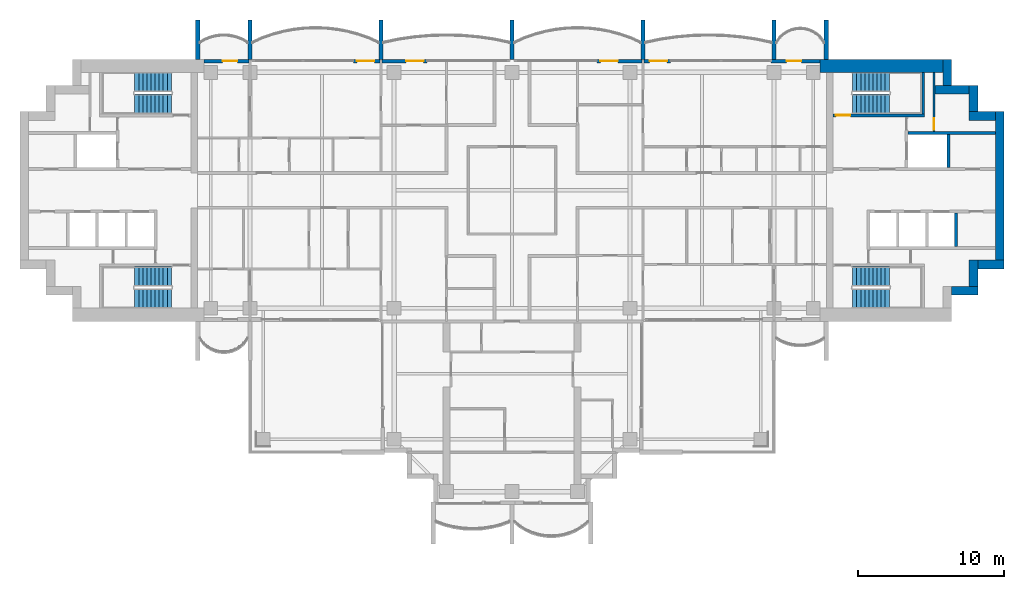
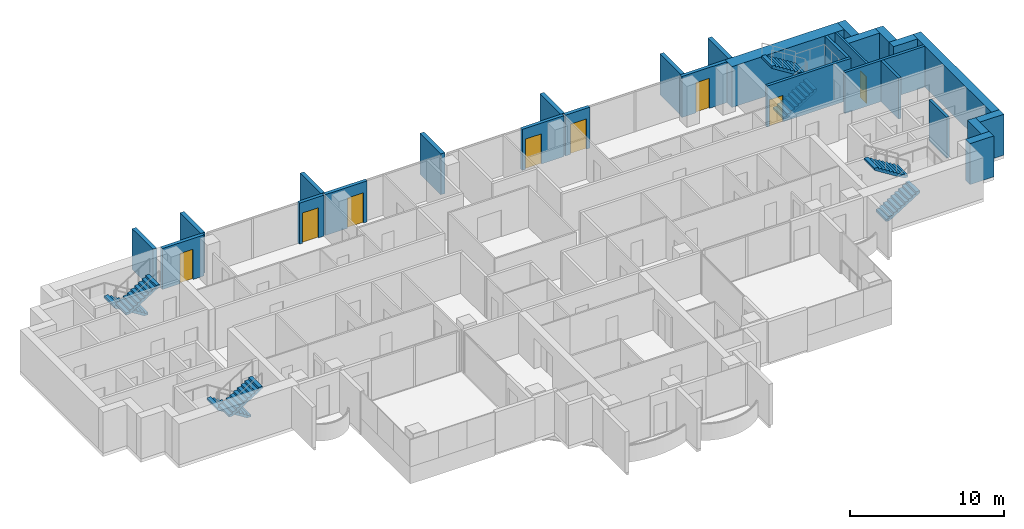
# One storey, part 13 of 17: 28 walls, 8 doors, 8 stair flights, 8 openings, 4 elements without a shape of their own.
"""IFC4 building model written with IfcOpenShell, lengths in metres."""

from ifc_helpers import new_model, si_unit, direction, frame, frame_2d, origin, place, context, subcontext, project, spatial, polyline, rectangle, outline, extrude, material, layer, layer_set, type_object, element, fill, aggregate, save


model = new_model("IFC4")

# Units and contexts
model_context = context("Model", 3, precision=1e-05, world=origin(), true_north=direction((0.0, 1.0)))
body_context = subcontext(model_context, "Body", "Model", "MODEL_VIEW")
ifc_project = project(units=[si_unit("LENGTHUNIT", "METRE"), si_unit("AREAUNIT", "SQUARE_METRE"), si_unit("VOLUMEUNIT", "CUBIC_METRE"), si_unit("PLANEANGLEUNIT", "RADIAN"), si_unit("MASSUNIT", "GRAM", prefix="KILO")], contexts=[model_context])

# Site, building, storey
site_placement = place(None, origin())
site = spatial("IfcSite", under=ifc_project, at=site_placement, CompositionType="ELEMENT")
building_placement = place(site_placement, origin())
building = spatial("IfcBuilding", under=site, at=building_placement, Name="Perihelion Cross Residences", CompositionType="ELEMENT")
storey_placement = place(building_placement, frame((0.0, 0.0, 212.10009765625)))
storey = spatial("IfcBuildingStorey", under=building, at=storey_placement, Name="L53", CompositionType="ELEMENT", Elevation=212.10009765625)

# Wall, opening, door
ifc_material_1 = material(Name="Concrete C30/37, bronze-clad", Category="concrete")
ifc_layer_1 = layer(ifc_material_1, 0.25)
ifc_layer_set_1 = layer_set([ifc_layer_1], Name="Bronze-clad pier wall 250")
wall_type_1 = type_object("IfcWallType", Name="Bronze-clad pier wall 250", PredefinedType="SOLIDWALL", material=ifc_layer_set_1)
wall_1_placement = place(storey_placement, frame((21.175048828125, 8.875, 0.0), z_axis=(0.0, 0.0, 1.0), x_axis=(-1.0, 0.0, 0.0)))
wall_1 = element("IfcWall", 1, at=wall_1_placement, inside=storey, type_object=wall_type_1, Name="Wall FW1 L53 east side north bay 1 pier", PredefinedType="SOLIDWALL", context=body_context, shape_type="SweptSolid", body=[
    extrude(rectangle(XDim=3.375, YDim=0.25, at=frame_2d((1.6875, 0.0))), origin(), (0.0, 0.0, 1.0), 3.25),
])
opening_1_placement = place(wall_1_placement, frame((1.300048828125, 0.0, 0.0)))
opening_1 = element("IfcOpeningElement", 2, at=opening_1_placement, cuts=wall_1, Name="Opening L53.E01", PredefinedType="OPENING", context=body_context, shape_type="SweptSolid", body=[
    extrude(rectangle(XDim=1.0, YDim=2.39990234375, at=frame_2d((0.5, 1.199951171875))), frame((0.0, 0.135009765625, 0.0), z_axis=(0.0, -1.0, 0.0), x_axis=(1.0, 0.0, 0.0)), (0.0, 0.0, 1.0), 0.27001953125),
])
ifc_material_2 = material(Name="Bronze anodised aluminium, glazed", Category="aluminium")
door_type_1 = type_object("IfcDoorType", Name="Balcony door 1000 x 2400", OperationType="NOTDEFINED", PredefinedType="DOOR", material=ifc_material_2)
door_1_placement = place(opening_1_placement, origin())
door_1 = element("IfcDoor", 3, at=door_1_placement, inside=storey, type_object=door_type_1, Name="Door L53.E01 east side north bay 1", OperationType="SINGLE_SWING_LEFT", OverallHeight=2.39990234375, OverallWidth=1.0, PredefinedType="DOOR", context=body_context, shape_type="SweptSolid", body=[
    extrude(rectangle(XDim=1.0, YDim=2.39990234375, at=frame_2d((0.5, 1.199951171875))), frame((0.0, 0.02490234375, 0.0), z_axis=(0.0, -1.0, 0.0), x_axis=(1.0, 0.0, 0.0)), (0.0, 0.0, 1.0), 0.050048828125),
])
fill(opening_1, door_1)

wall_2_placement = place(storey_placement, frame((10.89990234375, 8.875, 0.0), z_axis=(0.0, 0.0, 1.0), x_axis=(-1.0, 0.0, 0.0)))
wall_2 = element("IfcWall", 4, at=wall_2_placement, inside=storey, type_object=wall_type_1, Name="Wall FW1 L53 east side north bay 2 pier", PredefinedType="SOLIDWALL", context=body_context, shape_type="SweptSolid", body=[
    extrude(rectangle(XDim=1.83984375, YDim=0.25, at=frame_2d((0.919921875, 0.0))), origin(), (0.0, 0.0, 1.0), 3.25),
])
opening_2_placement = place(wall_2_placement, frame((0.25, 0.0, 0.0)))
opening_2 = element("IfcOpeningElement", 5, at=opening_2_placement, cuts=wall_2, Name="Opening L53.E02", PredefinedType="OPENING", context=body_context, shape_type="SweptSolid", body=[
    extrude(rectangle(XDim=1.199951171875, YDim=2.39990234375, at=frame_2d((0.60009765625, 1.199951171875))), frame((0.0, 0.135009765625, 0.0), z_axis=(0.0, -1.0, 0.0), x_axis=(1.0, 0.0, 0.0)), (0.0, 0.0, 1.0), 0.27001953125),
])
ifc_material_3 = material(Name="Bronze anodised aluminium, glazed", Category="aluminium")
door_type_2 = type_object("IfcDoorType", Name="Balcony door 1200 x 2400", OperationType="NOTDEFINED", PredefinedType="DOOR", material=ifc_material_3)
door_2_placement = place(opening_2_placement, origin())
door_2 = element("IfcDoor", 6, at=door_2_placement, inside=storey, type_object=door_type_2, Name="Door L53.E02 east side north bay 2", OperationType="SINGLE_SWING_RIGHT", OverallHeight=2.39990234375, OverallWidth=1.199951171875, PredefinedType="DOOR", context=body_context, shape_type="SweptSolid", body=[
    extrude(rectangle(XDim=1.199951171875, YDim=2.39990234375, at=frame_2d((0.60009765625, 1.199951171875))), frame((0.0, 0.02490234375, 0.0), z_axis=(0.0, -1.0, 0.0), x_axis=(1.0, 0.0, 0.0)), (0.0, 0.0, 1.0), 0.050048828125),
])
fill(opening_2, door_2)

wall_3_placement = place(storey_placement, frame((8.93994140625, 8.875, 0.0), z_axis=(0.0, 0.0, 1.0), x_axis=(-1.0, 0.0, 0.0)))
wall_3 = element("IfcWall", 7, at=wall_3_placement, inside=storey, type_object=wall_type_1, Name="Wall FW1 L53 north side east bay 1 pier", PredefinedType="SOLIDWALL", context=body_context, shape_type="SweptSolid", body=[
    extrude(rectangle(XDim=3.114990234375, YDim=0.25, at=frame_2d((1.5576171875, 0.0))), origin(), (0.0, 0.0, 1.0), 3.25),
])
opening_3_placement = place(wall_3_placement, frame((1.6650390625, 0.0, 0.0)))
opening_3 = element("IfcOpeningElement", 8, at=opening_3_placement, cuts=wall_3, Name="Opening L53.E03", PredefinedType="OPENING", context=body_context, shape_type="SweptSolid", body=[
    extrude(rectangle(XDim=1.199951171875, YDim=2.39990234375, at=frame_2d((0.60009765625, 1.199951171875))), frame((0.0, 0.135009765625, 0.0), z_axis=(0.0, -1.0, 0.0), x_axis=(1.0, 0.0, 0.0)), (0.0, 0.0, 1.0), 0.27001953125),
])
door_3_placement = place(opening_3_placement, origin())
door_3 = element("IfcDoor", 9, at=door_3_placement, inside=storey, type_object=door_type_2, Name="Door L53.E03 north side east bay 1", OperationType="SINGLE_SWING_LEFT", OverallHeight=2.39990234375, OverallWidth=1.199951171875, PredefinedType="DOOR", context=body_context, shape_type="SweptSolid", body=[
    extrude(rectangle(XDim=1.199951171875, YDim=2.39990234375, at=frame_2d((0.60009765625, 1.199951171875))), frame((0.0, 0.02490234375, 0.0), z_axis=(0.0, -1.0, 0.0), x_axis=(1.0, 0.0, 0.0)), (0.0, 0.0, 1.0), 0.050048828125),
])
fill(opening_3, door_3)

wall_4_placement = place(storey_placement, frame((-5.824951171875, 8.875, 0.0), z_axis=(0.0, 0.0, 1.0), x_axis=(-1.0, 0.0, 0.0)))
wall_4 = element("IfcWall", 10, at=wall_4_placement, inside=storey, type_object=wall_type_1, Name="Wall FW1 L53 north side east bay 2 pier", PredefinedType="SOLIDWALL", context=body_context, shape_type="SweptSolid", body=[
    extrude(rectangle(XDim=3.114990234375, YDim=0.25, at=frame_2d((1.5576171875, 0.0))), origin(), (0.0, 0.0, 1.0), 3.25),
])
opening_4_placement = place(wall_4_placement, frame((0.25, 0.0, 0.0)))
opening_4 = element("IfcOpeningElement", 11, at=opening_4_placement, cuts=wall_4, Name="Opening L53.E04", PredefinedType="OPENING", context=body_context, shape_type="SweptSolid", body=[
    extrude(rectangle(XDim=1.199951171875, YDim=2.39990234375, at=frame_2d((0.60009765625, 1.199951171875))), frame((0.0, 0.135009765625, 0.0), z_axis=(0.0, -1.0, 0.0), x_axis=(1.0, 0.0, 0.0)), (0.0, 0.0, 1.0), 0.27001953125),
])
door_4_placement = place(opening_4_placement, origin())
door_4 = element("IfcDoor", 12, at=door_4_placement, inside=storey, type_object=door_type_2, Name="Door L53.E04 north side east bay 2", OperationType="SINGLE_SWING_RIGHT", OverallHeight=2.39990234375, OverallWidth=1.199951171875, PredefinedType="DOOR", context=body_context, shape_type="SweptSolid", body=[
    extrude(rectangle(XDim=1.199951171875, YDim=2.39990234375, at=frame_2d((0.60009765625, 1.199951171875))), frame((0.0, 0.02490234375, 0.0), z_axis=(0.0, -1.0, 0.0), x_axis=(1.0, 0.0, 0.0)), (0.0, 0.0, 1.0), 0.050048828125),
])
fill(opening_4, door_4)

wall_5_placement = place(storey_placement, frame((-9.06005859375, 8.875, 0.0), z_axis=(0.0, 0.0, 1.0), x_axis=(-1.0, 0.0, 0.0)))
wall_5 = element("IfcWall", 13, at=wall_5_placement, inside=storey, type_object=wall_type_1, Name="Wall FW1 L53 west side north bay 1 pier", PredefinedType="SOLIDWALL", context=body_context, shape_type="SweptSolid", body=[
    extrude(rectangle(XDim=1.83984375, YDim=0.25, at=frame_2d((0.919921875, 0.0))), origin(), (0.0, 0.0, 1.0), 3.25),
])
opening_5_placement = place(wall_5_placement, frame((0.389892578125, 0.0, 0.0)))
opening_5 = element("IfcOpeningElement", 14, at=opening_5_placement, cuts=wall_5, Name="Opening L53.E05", PredefinedType="OPENING", context=body_context, shape_type="SweptSolid", body=[
    extrude(rectangle(XDim=1.199951171875, YDim=2.39990234375, at=frame_2d((0.60009765625, 1.199951171875))), frame((0.0, 0.135009765625, 0.0), z_axis=(0.0, -1.0, 0.0), x_axis=(1.0, 0.0, 0.0)), (0.0, 0.0, 1.0), 0.27001953125),
])
door_5_placement = place(opening_5_placement, origin())
door_5 = element("IfcDoor", 15, at=door_5_placement, inside=storey, type_object=door_type_2, Name="Door L53.E05 west side north bay 1", OperationType="SINGLE_SWING_LEFT", OverallHeight=2.39990234375, OverallWidth=1.199951171875, PredefinedType="DOOR", context=body_context, shape_type="SweptSolid", body=[
    extrude(rectangle(XDim=1.199951171875, YDim=2.39990234375, at=frame_2d((0.60009765625, 1.199951171875))), frame((0.0, 0.02490234375, 0.0), z_axis=(0.0, -1.0, 0.0), x_axis=(1.0, 0.0, 0.0)), (0.0, 0.0, 1.0), 0.050048828125),
])
fill(opening_5, door_5)

wall_6_placement = place(storey_placement, frame((-18.06005859375, 8.875, 0.0), z_axis=(0.0, 0.0, 1.0), x_axis=(-1.0, 0.0, 0.0)))
wall_6 = element("IfcWall", 16, at=wall_6_placement, inside=storey, type_object=wall_type_1, Name="Wall FW1 L53 west side north bay 2 pier", PredefinedType="SOLIDWALL", context=body_context, shape_type="SweptSolid", body=[
    extrude(rectangle(XDim=3.114990234375, YDim=0.25, at=frame_2d((1.5576171875, 0.0))), origin(), (0.0, 0.0, 1.0), 3.25),
])
opening_6_placement = place(wall_6_placement, frame((0.81494140625, 0.0, 0.0)))
opening_6 = element("IfcOpeningElement", 17, at=opening_6_placement, cuts=wall_6, Name="Opening L53.E06", PredefinedType="OPENING", context=body_context, shape_type="SweptSolid", body=[
    extrude(rectangle(XDim=1.0, YDim=2.39990234375, at=frame_2d((0.5, 1.199951171875))), frame((0.0, 0.135009765625, 0.0), z_axis=(0.0, -1.0, 0.0), x_axis=(1.0, 0.0, 0.0)), (0.0, 0.0, 1.0), 0.27001953125),
])
door_6_placement = place(opening_6_placement, origin())
door_6 = element("IfcDoor", 18, at=door_6_placement, inside=storey, type_object=door_type_1, Name="Door L53.E06 west side north bay 2", OperationType="SINGLE_SWING_RIGHT", OverallHeight=2.39990234375, OverallWidth=1.0, PredefinedType="DOOR", context=body_context, shape_type="SweptSolid", body=[
    extrude(rectangle(XDim=1.0, YDim=2.39990234375, at=frame_2d((0.5, 1.199951171875))), frame((0.0, 0.02490234375, 0.0), z_axis=(0.0, -1.0, 0.0), x_axis=(1.0, 0.0, 0.0)), (0.0, 0.0, 1.0), 0.050048828125),
])
fill(opening_6, door_6)

# Walls
ifc_material_4 = material(Name="Concrete C60/75", Category="concrete")
ifc_layer_2 = layer(ifc_material_4, 0.60009765625)
ifc_layer_set_2 = layer_set([ifc_layer_2], Name="Core wall, outer 600")
wall_type_2 = type_object("IfcWallType", Name="Core wall, outer 600", PredefinedType="SHEAR", material=ifc_layer_set_2)
for number, where, z_axis, x_axis, name in (
    (19, (30.199951171875, -6.89990234375, 0.0), (0.0, 0.0, 1.0), (1.0, 0.0, 0.0), "East core core wall, outer"),
    (20, (31.699951171875, -6.60009765625, 0.0), (0.0, 0.0, 1.0), (0.0, 1.0, 0.0), "East core core wall, outer"),
    (21, (32.0, -5.10009765625, 0.0), (0.0, 0.0, 1.0), (1.0, 0.0, 0.0), "East core core wall, outer"),
):
    element("IfcWall", number, at=place(storey_placement, frame(where, z_axis=z_axis, x_axis=x_axis)), inside=storey, type_object=wall_type_2, Name=name, PredefinedType="SHEAR", context=body_context, shape_type="SweptSolid", body=[
        extrude(rectangle(XDim=1.800048828125, YDim=0.60009765625, at=frame_2d((0.89990234375, 0.0))), origin(), (0.0, 0.0, 1.0), 3.25),
    ])
wall_7_placement = place(storey_placement, frame((33.5, -4.800048828125, 0.0), z_axis=(0.0, 0.0, 1.0), x_axis=(0.0, 1.0, 0.0)))
element("IfcWall", 22, at=wall_7_placement, inside=storey, type_object=wall_type_2, Name="East core core wall, outer", PredefinedType="SHEAR", context=body_context, shape_type="SweptSolid", body=[
    extrude(rectangle(XDim=10.199951171875, YDim=0.60009765625, at=frame_2d((5.10009765625, 0.0))), origin(), (0.0, 0.0, 1.0), 3.25),
])
for number, where, z_axis, x_axis, name in (
    (23, (31.39990234375, 5.10009765625, 0.0), (0.0, 0.0, 1.0), (1.0, 0.0, 0.0), "East core core wall, outer"),
    (24, (31.699951171875, 5.39990234375, 0.0), (0.0, 0.0, 1.0), (0.0, 1.0, 0.0), "East core core wall, outer"),
):
    element("IfcWall", number, at=place(storey_placement, frame(where, z_axis=z_axis, x_axis=x_axis)), inside=storey, type_object=wall_type_2, Name=name, PredefinedType="SHEAR", context=body_context, shape_type="SweptSolid", body=[
        extrude(rectangle(XDim=1.800048828125, YDim=0.60009765625, at=frame_2d((0.89990234375, 0.0))), origin(), (0.0, 0.0, 1.0), 3.25),
    ])
wall_8_placement = place(storey_placement, frame((29.074951171875, 6.89990234375, 0.0), z_axis=(0.0, 0.0, 1.0), x_axis=(1.0, 0.0, 0.0)))
element("IfcWall", 25, at=wall_8_placement, inside=storey, type_object=wall_type_2, Name="East core core wall, outer", PredefinedType="SHEAR", context=body_context, shape_type="SweptSolid", body=[
    extrude(rectangle(XDim=2.324951171875, YDim=0.60009765625, at=frame_2d((1.16259765625, 0.0))), origin(), (0.0, 0.0, 1.0), 3.25),
])
wall_9_placement = place(storey_placement, frame((29.89990234375, 7.199951171875, 0.0), z_axis=(0.0, 0.0, 1.0), x_axis=(0.0, 1.0, 0.0)))
element("IfcWall", 26, at=wall_9_placement, inside=storey, type_object=wall_type_2, Name="East core core wall, outer", PredefinedType="SHEAR", context=body_context, shape_type="SweptSolid", body=[
    extrude(rectangle(XDim=1.800048828125, YDim=0.60009765625, at=frame_2d((0.89990234375, 0.0))), origin(), (0.0, 0.0, 1.0), 3.25),
])
ifc_material_5 = material(Name="Concrete C60/75", Category="concrete")
ifc_layer_3 = layer(ifc_material_5, 0.89990234375)
ifc_layer_set_3 = layer_set([ifc_layer_3], Name="Core wall, outer 900")
wall_type_3 = type_object("IfcWallType", Name="Core wall, outer 900", PredefinedType="SHEAR", material=ifc_layer_set_3)
wall_10_placement = place(storey_placement, frame((21.175048828125, 8.550048828125, 0.0), z_axis=(0.0, 0.0, 1.0), x_axis=(1.0, 0.0, 0.0)))
element("IfcWall", 27, at=wall_10_placement, inside=storey, type_object=wall_type_3, Name="East core core wall, outer", PredefinedType="SHEAR", context=body_context, shape_type="SweptSolid", body=[
    extrude(rectangle(XDim=8.425048828125, YDim=0.89990234375, at=frame_2d((4.21240234375, 0.0))), origin(), (0.0, 0.0, 1.0), 3.25),
])
ifc_material_6 = material(Name="Precast concrete C50/60", Category="concrete")
ifc_layer_4 = layer(ifc_material_6, 0.300048828125)
ifc_layer_set_4 = layer_set([ifc_layer_4], Name="Precast concrete C50/60 blade wall 300")
wall_type_4 = type_object("IfcWallType", Name="Precast concrete C50/60 blade wall 300", PredefinedType="SOLIDWALL", material=ifc_layer_set_4)
for number, where, z_axis, x_axis, name in (
    (28, (-21.60009765625, 9.0, 0.0), (0.0, 0.0, 1.0), (0.0, 1.0, 0.0), "Wall BL1 L53 no. 4"),
    (29, (-18.0, 9.0, 0.0), (0.0, 0.0, 1.0), (0.0, 1.0, 0.0), "Wall BL1 L53 no. 2"),
    (30, (-9.0, 9.0, 0.0), (0.0, 0.0, 1.0), (0.0, 1.0, 0.0), "Wall BL1 L53 no. 7"),
    (31, (0.0, 9.0, 0.0), (0.0, 0.0, 1.0), (0.0, 1.0, 0.0), "Wall BL1 L53 no. 9"),
    (32, (9.0, 9.0, 0.0), (0.0, 0.0, 1.0), (0.0, 1.0, 0.0), "Wall BL1 L53 no. 16"),
    (33, (18.0, 9.0, 0.0), (0.0, 0.0, 1.0), (0.0, 1.0, 0.0), "Wall BL1 L53 no. 11"),
    (34, (21.60009765625, 9.0, 0.0), (0.0, 0.0, 1.0), (0.0, 1.0, 0.0), "Wall BL1 L53 no. 13"),
):
    element("IfcWall", number, at=place(storey_placement, frame(where, z_axis=z_axis, x_axis=x_axis)), inside=storey, type_object=wall_type_4, Name=name, PredefinedType="SOLIDWALL", context=body_context, shape_type="SweptSolid", body=[
        extrude(rectangle(XDim=2.699951171875, YDim=0.300048828125, at=frame_2d((1.35009765625, 0.0))), origin(), (0.0, 0.0, 1.0), 3.25),
    ])

# Wall, opening, door
ifc_material_7 = material(Name="Fire-rated board on steel stud", Category="steel")
ifc_layer_5 = layer(ifc_material_7, 0.14990234375)
ifc_layer_set_5 = layer_set([ifc_layer_5], Name="Riser wall 150")
wall_type_5 = type_object("IfcWallType", Name="Riser wall 150", PredefinedType="PARTITIONING", material=ifc_layer_set_5)
wall_11_placement = place(storey_placement, frame((29.0, 4.050048828125, 0.0), z_axis=(0.0, 0.0, 1.0), x_axis=(0.0, 1.0, 0.0)))
wall_11 = element("IfcWall", 35, at=wall_11_placement, inside=storey, type_object=wall_type_5, Name="East core riser wall", PredefinedType="PARTITIONING", context=body_context, shape_type="SweptSolid", body=[
    extrude(rectangle(XDim=4.050048828125, YDim=0.14990234375, at=frame_2d((2.02490234375, 0.0))), origin(), (0.0, 0.0, 1.0), 3.25),
])
opening_7_placement = place(wall_11_placement, frame((0.10009765625, 0.0, 0.0)))
opening_7 = element("IfcOpeningElement", 36, at=opening_7_placement, cuts=wall_11, Name="Opening L53.C12", PredefinedType="OPENING", context=body_context, shape_type="SweptSolid", body=[
    extrude(rectangle(XDim=0.800048828125, YDim=2.10009765625, at=frame_2d((0.39990234375, 1.050048828125))), frame((0.0, 0.0849609375, 0.0), z_axis=(0.0, -1.0, 0.0), x_axis=(1.0, 0.0, 0.0)), (0.0, 0.0, 1.0), 0.169921875),
])
ifc_material_8 = material(Name="Steel, powder coated", Category="steel")
door_type_3 = type_object("IfcDoorType", Name="Riser door 800", OperationType="SINGLE_SWING_LEFT", PredefinedType="DOOR", material=ifc_material_8)
door_7_placement = place(opening_7_placement, origin())
door_7 = element("IfcDoor", 37, at=door_7_placement, inside=storey, type_object=door_type_3, Name="East core riser door", OperationType="SINGLE_SWING_LEFT", OverallHeight=2.10009765625, OverallWidth=0.800048828125, PredefinedType="DOOR", context=body_context, shape_type="SweptSolid", body=[
    extrude(rectangle(XDim=0.800048828125, YDim=2.10009765625, at=frame_2d((0.39990234375, 1.050048828125))), frame((0.0, 0.02490234375, 0.0), z_axis=(0.0, -1.0, 0.0), x_axis=(1.0, 0.0, 0.0)), (0.0, 0.0, 1.0), 0.050048828125),
])
fill(opening_7, door_7)

# Walls
ifc_material_9 = material(Name="Concrete C50/60", Category="concrete")
ifc_layer_6 = layer(ifc_material_9, 0.199951171875)
ifc_layer_set_6 = layer_set([ifc_layer_6], Name="Shaft wall 200")
wall_type_6 = type_object("IfcWallType", Name="Shaft wall 200", PredefinedType="SOLIDWALL", material=ifc_layer_set_6)
wall_12_placement = place(storey_placement, frame((27.199951171875, 3.949951171875, 0.0), z_axis=(0.0, 0.0, 1.0), x_axis=(1.0, 0.0, 0.0)))
element("IfcWall", 38, at=wall_12_placement, inside=storey, type_object=wall_type_6, Name="East core shaft wall", PredefinedType="SOLIDWALL", context=body_context, shape_type="SweptSolid", body=[
    extrude(rectangle(XDim=6.0, YDim=0.199951171875, at=frame_2d((3.0, 0.0))), origin(), (0.0, 0.0, 1.0), 3.25),
])
for number, where, z_axis, x_axis, name in (
    (39, (30.0, 1.550048828125, 0.0), (0.0, 0.0, 1.0), (0.0, 1.0, 0.0), "East core shaft wall"),
    (40, (30.5, -3.85009765625, 0.0), (0.0, 0.0, 1.0), (0.0, 1.0, 0.0), "East core shaft wall"),
):
    element("IfcWall", number, at=place(storey_placement, frame(where, z_axis=z_axis, x_axis=x_axis)), inside=storey, type_object=wall_type_6, Name=name, PredefinedType="SOLIDWALL", context=body_context, shape_type="SweptSolid", body=[
        extrude(rectangle(XDim=2.300048828125, YDim=0.199951171875, at=frame_2d((1.14990234375, 0.0))), origin(), (0.0, 0.0, 1.0), 3.25),
    ])

# Wall, opening, door
ifc_material_10 = material(Name="Concrete C50/60", Category="concrete")
ifc_layer_7 = layer(ifc_material_10, 0.199951171875)
ifc_layer_set_7 = layer_set([ifc_layer_7], Name="Stair wall 200")
wall_type_7 = type_object("IfcWallType", Name="Stair wall 200", PredefinedType="SOLIDWALL", material=ifc_layer_set_7)
wall_13_placement = place(storey_placement, frame((22.050048828125, 5.14990234375, 0.0), z_axis=(0.0, 0.0, 1.0), x_axis=(1.0, 0.0, 0.0)))
wall_13 = element("IfcWall", 41, at=wall_13_placement, inside=storey, type_object=wall_type_7, Name="East core stair wall", PredefinedType="SOLIDWALL", context=body_context, shape_type="SweptSolid", body=[
    extrude(rectangle(XDim=6.300048828125, YDim=0.199951171875, at=frame_2d((3.14990234375, 0.0))), origin(), (0.0, 0.0, 1.0), 3.25),
])
opening_8_placement = place(wall_13_placement, frame((0.199951171875, 0.0, 0.0)))
opening_8 = element("IfcOpeningElement", 42, at=opening_8_placement, cuts=wall_13, Name="Opening L53.C06", PredefinedType="OPENING", context=body_context, shape_type="SweptSolid", body=[
    extrude(rectangle(XDim=1.0, YDim=2.10009765625, at=frame_2d((0.5, 1.050048828125))), frame((0.0, 0.10986328125, 0.0), z_axis=(0.0, -1.0, 0.0), x_axis=(1.0, 0.0, 0.0)), (0.0, 0.0, 1.0), 0.219970703125),
])
ifc_material_11 = material(Name="Steel, powder coated", Category="steel")
door_type_4 = type_object("IfcDoorType", Name="Stair door 1000", OperationType="SINGLE_SWING_LEFT", PredefinedType="DOOR", material=ifc_material_11)
door_8_placement = place(opening_8_placement, origin())
door_8 = element("IfcDoor", 43, at=door_8_placement, inside=storey, type_object=door_type_4, Name="East core stair door", OperationType="SINGLE_SWING_LEFT", OverallHeight=2.10009765625, OverallWidth=1.0, PredefinedType="DOOR", context=body_context, shape_type="SweptSolid", body=[
    extrude(rectangle(XDim=1.0, YDim=2.10009765625, at=frame_2d((0.5, 1.050048828125))), frame((0.0, 0.02490234375, 0.0), z_axis=(0.0, -1.0, 0.0), x_axis=(1.0, 0.0, 0.0)), (0.0, 0.0, 1.0), 0.050048828125),
])
fill(opening_8, door_8)

# Wall
wall_14_placement = place(storey_placement, frame((28.25, 5.25, 0.0), z_axis=(0.0, 0.0, 1.0), x_axis=(0.0, 1.0, 0.0)))
element("IfcWall", 44, at=wall_14_placement, inside=storey, type_object=wall_type_7, Name="East core stair wall", PredefinedType="SOLIDWALL", context=body_context, shape_type="SweptSolid", body=[
    extrude(rectangle(XDim=2.85009765625, YDim=0.199951171875, at=frame_2d((1.425048828125, 0.0))), origin(), (0.0, 0.0, 1.0), 3.25),
])

# Stair, stair flights
ifc_material_12 = material(Name="Concrete C40/50", Category="concrete")
stair_type = type_object("IfcStairType", Name="Exit stair, half-turn", PredefinedType="HALF_TURN_STAIR", material=ifc_material_12)
stair_1_placement = place(storey_placement, origin())
stair_1 = element("IfcStair", 45, at=stair_1_placement, inside=storey, type_object=stair_type, Name="L53 East core exit stair 1", PredefinedType="HALF_TURN_STAIR")
ifc_material_13 = material(Name="Concrete C40/50", Category="concrete")
stair_flight_type = type_object("IfcStairFlightType", Name="Exit stair flight", PredefinedType="STRAIGHT", material=ifc_material_13)
stair_flight_1_placement = place(storey_placement, frame((23.39990234375, 5.925048828125, 0.0), z_axis=(0.0, 0.0, 1.0), x_axis=(1.0, 0.0, 0.0)))
stair_flight_1 = element("IfcStairFlight", 46, at=stair_flight_1_placement, type_object=stair_flight_type, Name="ST-E1 flight 1", NumberOfRisers=10, NumberOfTreads=9, PredefinedType="STRAIGHT", RiserHeight=0.175, TreadLength=0.28, context=body_context, shape_type="SweptSolid", body=[
    extrude(outline(polyline([(0.0, 0.0), (0.0, 0.175048828125), (0.280029296875, 0.175048828125), (0.280029296875, 0.35009765625), (0.56005859375, 0.35009765625), (0.56005859375, 0.52490234375), (0.840087890625, 0.52490234375), (0.840087890625, 0.699951171875), (1.1201171875, 0.699951171875), (1.1201171875, 0.875), (1.39990234375, 0.875), (1.39990234375, 1.050048828125), (1.679931640625, 1.050048828125), (1.679931640625, 1.22509765625), (1.9599609375, 1.22509765625), (1.9599609375, 1.39990234375), (2.239990234375, 1.39990234375), (2.239990234375, 1.574951171875), (2.52001953125, 1.574951171875), (2.52001953125, 1.75), (2.52001953125, 1.398193359375), (0.28271484375, 0.0), (0.0, 0.0)])), frame((0.0, 0.675048828125, 0.0), z_axis=(0.0, -1.0, 0.0), x_axis=(1.0, 0.0, 0.0)), (0.0, 0.0, 1.0), 1.35009765625),
])
stair_flight_2_placement = place(storey_placement, frame((25.919921875, 7.425048828125, 1.75), z_axis=(0.0, 0.0, 1.0), x_axis=(-1.0, 0.0, 0.0)))
stair_flight_2 = element("IfcStairFlight", 47, at=stair_flight_2_placement, type_object=stair_flight_type, Name="ST-E1 flight 2", NumberOfRisers=10, NumberOfTreads=9, PredefinedType="STRAIGHT", RiserHeight=0.175, TreadLength=0.28, context=body_context, shape_type="SweptSolid", body=[
    extrude(outline(polyline([(0.0, 0.0), (0.0, 0.175048828125), (0.280029296875, 0.175048828125), (0.280029296875, 0.35009765625), (0.56005859375, 0.35009765625), (0.56005859375, 0.52490234375), (0.840087890625, 0.52490234375), (0.840087890625, 0.699951171875), (1.1201171875, 0.699951171875), (1.1201171875, 0.875), (1.39990234375, 0.875), (1.39990234375, 1.050048828125), (1.679931640625, 1.050048828125), (1.679931640625, 1.22509765625), (1.9599609375, 1.22509765625), (1.9599609375, 1.39990234375), (2.239990234375, 1.39990234375), (2.239990234375, 1.574951171875), (2.52001953125, 1.574951171875), (2.52001953125, 1.75), (2.52001953125, 1.398193359375), (0.28271484375, 0.0), (0.0, 0.0)])), frame((0.0, 0.675048828125, 0.0), z_axis=(0.0, -1.0, 0.0), x_axis=(1.0, 0.0, 0.0)), (0.0, 0.0, 1.0), 1.35009765625),
])
aggregate(stair_1, [stair_flight_1, stair_flight_2])

stair_2_placement = place(storey_placement, origin())
stair_2 = element("IfcStair", 48, at=stair_2_placement, inside=storey, type_object=stair_type, Name="L53 East core exit stair 2", PredefinedType="HALF_TURN_STAIR")
stair_flight_3_placement = place(storey_placement, frame((23.39990234375, -7.425048828125, 0.0), z_axis=(0.0, 0.0, 1.0), x_axis=(1.0, 0.0, 0.0)))
stair_flight_3 = element("IfcStairFlight", 49, at=stair_flight_3_placement, type_object=stair_flight_type, Name="ST-E2 flight 1", NumberOfRisers=10, NumberOfTreads=9, PredefinedType="STRAIGHT", RiserHeight=0.175, TreadLength=0.28, context=body_context, shape_type="SweptSolid", body=[
    extrude(outline(polyline([(0.0, 0.0), (0.0, 0.175048828125), (0.280029296875, 0.175048828125), (0.280029296875, 0.35009765625), (0.56005859375, 0.35009765625), (0.56005859375, 0.52490234375), (0.840087890625, 0.52490234375), (0.840087890625, 0.699951171875), (1.1201171875, 0.699951171875), (1.1201171875, 0.875), (1.39990234375, 0.875), (1.39990234375, 1.050048828125), (1.679931640625, 1.050048828125), (1.679931640625, 1.22509765625), (1.9599609375, 1.22509765625), (1.9599609375, 1.39990234375), (2.239990234375, 1.39990234375), (2.239990234375, 1.574951171875), (2.52001953125, 1.574951171875), (2.52001953125, 1.75), (2.52001953125, 1.398193359375), (0.28271484375, 0.0), (0.0, 0.0)])), frame((0.0, 0.675048828125, 0.0), z_axis=(0.0, -1.0, 0.0), x_axis=(1.0, 0.0, 0.0)), (0.0, 0.0, 1.0), 1.35009765625),
])
stair_flight_4_placement = place(storey_placement, frame((25.919921875, -5.925048828125, 1.75), z_axis=(0.0, 0.0, 1.0), x_axis=(-1.0, 0.0, 0.0)))
stair_flight_4 = element("IfcStairFlight", 50, at=stair_flight_4_placement, type_object=stair_flight_type, Name="ST-E2 flight 2", NumberOfRisers=10, NumberOfTreads=9, PredefinedType="STRAIGHT", RiserHeight=0.175, TreadLength=0.28, context=body_context, shape_type="SweptSolid", body=[
    extrude(outline(polyline([(0.0, 0.0), (0.0, 0.175048828125), (0.280029296875, 0.175048828125), (0.280029296875, 0.35009765625), (0.56005859375, 0.35009765625), (0.56005859375, 0.52490234375), (0.840087890625, 0.52490234375), (0.840087890625, 0.699951171875), (1.1201171875, 0.699951171875), (1.1201171875, 0.875), (1.39990234375, 0.875), (1.39990234375, 1.050048828125), (1.679931640625, 1.050048828125), (1.679931640625, 1.22509765625), (1.9599609375, 1.22509765625), (1.9599609375, 1.39990234375), (2.239990234375, 1.39990234375), (2.239990234375, 1.574951171875), (2.52001953125, 1.574951171875), (2.52001953125, 1.75), (2.52001953125, 1.398193359375), (0.28271484375, 0.0), (0.0, 0.0)])), frame((0.0, 0.675048828125, 0.0), z_axis=(0.0, -1.0, 0.0), x_axis=(1.0, 0.0, 0.0)), (0.0, 0.0, 1.0), 1.35009765625),
])
aggregate(stair_2, [stair_flight_3, stair_flight_4])

stair_3_placement = place(storey_placement, origin())
stair_3 = element("IfcStair", 51, at=stair_3_placement, inside=storey, type_object=stair_type, Name="L53 West core exit stair 1", PredefinedType="HALF_TURN_STAIR")
stair_flight_5_placement = place(storey_placement, frame((-23.39990234375, 7.425048828125, 0.0), z_axis=(0.0, 0.0, 1.0), x_axis=(-1.0, 0.0, 0.0)))
stair_flight_5 = element("IfcStairFlight", 52, at=stair_flight_5_placement, type_object=stair_flight_type, Name="ST-W1 flight 1", NumberOfRisers=10, NumberOfTreads=9, PredefinedType="STRAIGHT", RiserHeight=0.175, TreadLength=0.28, context=body_context, shape_type="SweptSolid", body=[
    extrude(outline(polyline([(0.0, 0.0), (0.0, 0.175048828125), (0.280029296875, 0.175048828125), (0.280029296875, 0.35009765625), (0.56005859375, 0.35009765625), (0.56005859375, 0.52490234375), (0.840087890625, 0.52490234375), (0.840087890625, 0.699951171875), (1.1201171875, 0.699951171875), (1.1201171875, 0.875), (1.39990234375, 0.875), (1.39990234375, 1.050048828125), (1.679931640625, 1.050048828125), (1.679931640625, 1.22509765625), (1.9599609375, 1.22509765625), (1.9599609375, 1.39990234375), (2.239990234375, 1.39990234375), (2.239990234375, 1.574951171875), (2.52001953125, 1.574951171875), (2.52001953125, 1.75), (2.52001953125, 1.398193359375), (0.28271484375, 0.0), (0.0, 0.0)])), frame((0.0, 0.675048828125, 0.0), z_axis=(0.0, -1.0, 0.0), x_axis=(1.0, 0.0, 0.0)), (0.0, 0.0, 1.0), 1.35009765625),
])
stair_flight_6_placement = place(storey_placement, frame((-25.919921875, 5.925048828125, 1.75), z_axis=(0.0, 0.0, 1.0), x_axis=(1.0, 0.0, 0.0)))
stair_flight_6 = element("IfcStairFlight", 53, at=stair_flight_6_placement, type_object=stair_flight_type, Name="ST-W1 flight 2", NumberOfRisers=10, NumberOfTreads=9, PredefinedType="STRAIGHT", RiserHeight=0.175, TreadLength=0.28, context=body_context, shape_type="SweptSolid", body=[
    extrude(outline(polyline([(0.0, 0.0), (0.0, 0.175048828125), (0.280029296875, 0.175048828125), (0.280029296875, 0.35009765625), (0.56005859375, 0.35009765625), (0.56005859375, 0.52490234375), (0.840087890625, 0.52490234375), (0.840087890625, 0.699951171875), (1.1201171875, 0.699951171875), (1.1201171875, 0.875), (1.39990234375, 0.875), (1.39990234375, 1.050048828125), (1.679931640625, 1.050048828125), (1.679931640625, 1.22509765625), (1.9599609375, 1.22509765625), (1.9599609375, 1.39990234375), (2.239990234375, 1.39990234375), (2.239990234375, 1.574951171875), (2.52001953125, 1.574951171875), (2.52001953125, 1.75), (2.52001953125, 1.398193359375), (0.28271484375, 0.0), (0.0, 0.0)])), frame((0.0, 0.675048828125, 0.0), z_axis=(0.0, -1.0, 0.0), x_axis=(1.0, 0.0, 0.0)), (0.0, 0.0, 1.0), 1.35009765625),
])
aggregate(stair_3, [stair_flight_5, stair_flight_6])

stair_4_placement = place(storey_placement, origin())
stair_4 = element("IfcStair", 54, at=stair_4_placement, inside=storey, type_object=stair_type, Name="L53 West core exit stair 2", PredefinedType="HALF_TURN_STAIR")
stair_flight_7_placement = place(storey_placement, frame((-23.39990234375, -5.925048828125, 0.0), z_axis=(0.0, 0.0, 1.0), x_axis=(-1.0, 0.0, 0.0)))
stair_flight_7 = element("IfcStairFlight", 55, at=stair_flight_7_placement, type_object=stair_flight_type, Name="ST-W2 flight 1", NumberOfRisers=10, NumberOfTreads=9, PredefinedType="STRAIGHT", RiserHeight=0.175, TreadLength=0.28, context=body_context, shape_type="SweptSolid", body=[
    extrude(outline(polyline([(0.0, 0.0), (0.0, 0.175048828125), (0.280029296875, 0.175048828125), (0.280029296875, 0.35009765625), (0.56005859375, 0.35009765625), (0.56005859375, 0.52490234375), (0.840087890625, 0.52490234375), (0.840087890625, 0.699951171875), (1.1201171875, 0.699951171875), (1.1201171875, 0.875), (1.39990234375, 0.875), (1.39990234375, 1.050048828125), (1.679931640625, 1.050048828125), (1.679931640625, 1.22509765625), (1.9599609375, 1.22509765625), (1.9599609375, 1.39990234375), (2.239990234375, 1.39990234375), (2.239990234375, 1.574951171875), (2.52001953125, 1.574951171875), (2.52001953125, 1.75), (2.52001953125, 1.398193359375), (0.28271484375, 0.0), (0.0, 0.0)])), frame((0.0, 0.675048828125, 0.0), z_axis=(0.0, -1.0, 0.0), x_axis=(1.0, 0.0, 0.0)), (0.0, 0.0, 1.0), 1.35009765625),
])
stair_flight_8_placement = place(storey_placement, frame((-25.919921875, -7.425048828125, 1.75), z_axis=(0.0, 0.0, 1.0), x_axis=(1.0, 0.0, 0.0)))
stair_flight_8 = element("IfcStairFlight", 56, at=stair_flight_8_placement, type_object=stair_flight_type, Name="ST-W2 flight 2", NumberOfRisers=10, NumberOfTreads=9, PredefinedType="STRAIGHT", RiserHeight=0.175, TreadLength=0.28, context=body_context, shape_type="SweptSolid", body=[
    extrude(outline(polyline([(0.0, 0.0), (0.0, 0.175048828125), (0.280029296875, 0.175048828125), (0.280029296875, 0.35009765625), (0.56005859375, 0.35009765625), (0.56005859375, 0.52490234375), (0.840087890625, 0.52490234375), (0.840087890625, 0.699951171875), (1.1201171875, 0.699951171875), (1.1201171875, 0.875), (1.39990234375, 0.875), (1.39990234375, 1.050048828125), (1.679931640625, 1.050048828125), (1.679931640625, 1.22509765625), (1.9599609375, 1.22509765625), (1.9599609375, 1.39990234375), (2.239990234375, 1.39990234375), (2.239990234375, 1.574951171875), (2.52001953125, 1.574951171875), (2.52001953125, 1.75), (2.52001953125, 1.398193359375), (0.28271484375, 0.0), (0.0, 0.0)])), frame((0.0, 0.675048828125, 0.0), z_axis=(0.0, -1.0, 0.0), x_axis=(1.0, 0.0, 0.0)), (0.0, 0.0, 1.0), 1.35009765625),
])
aggregate(stair_4, [stair_flight_7, stair_flight_8])

save(model, "model.ifc")
